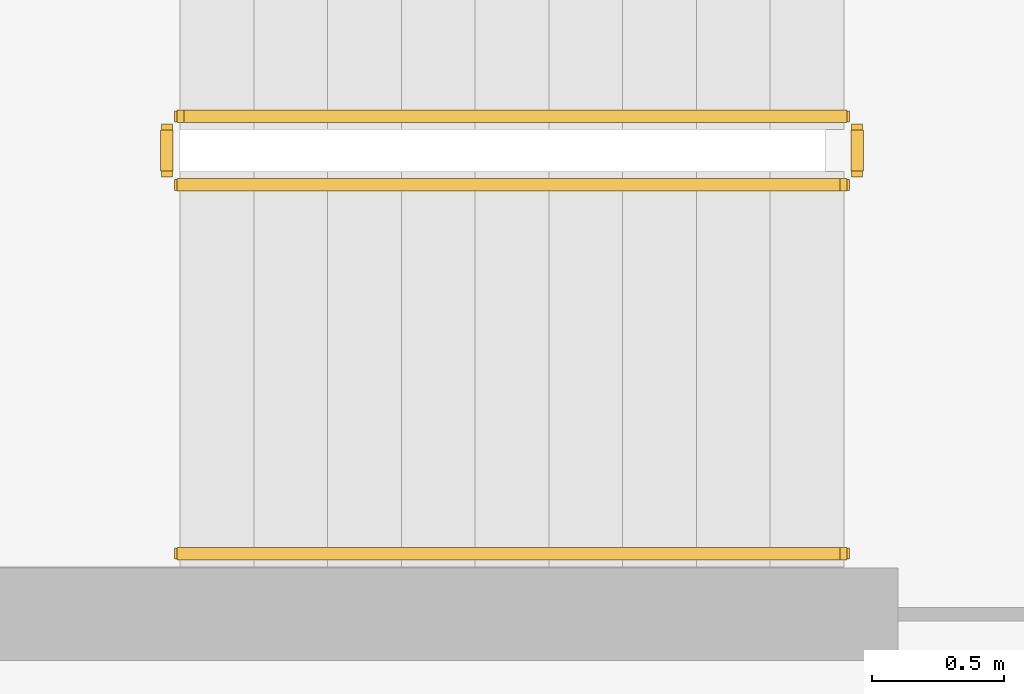
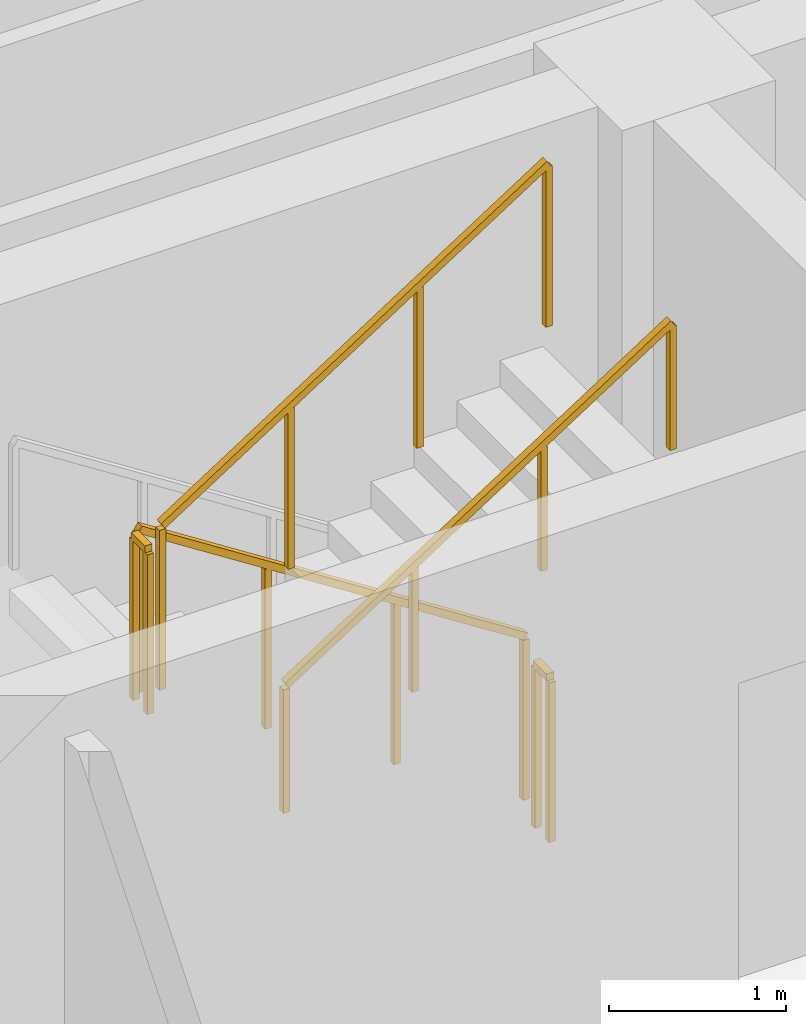
# One storey, part 12 of 14: 5 railings.
"""IFC4 building model written with IfcOpenShell, lengths in metres."""

from ifc_helpers import new_model, si_unit, direction, frame, origin, origin_2d, place, context, subcontext, project, spatial, rectangle, extrude, material, type_object, element, save


model = new_model("IFC4")

# Units and contexts
model_context = context("Model", 3, precision=1e-05, world=origin(), true_north=direction((0.0, 1.0)))
body_context = subcontext(model_context, "Body", "Model", "MODEL_VIEW")
ifc_project = project(units=[si_unit("LENGTHUNIT", "METRE"), si_unit("AREAUNIT", "SQUARE_METRE"), si_unit("VOLUMEUNIT", "CUBIC_METRE"), si_unit("PLANEANGLEUNIT", "RADIAN"), si_unit("MASSUNIT", "GRAM", prefix="KILO")], contexts=[model_context])

# Site, building, storey
site_placement = place(None, origin())
site = spatial("IfcSite", under=ifc_project, at=site_placement, CompositionType="ELEMENT")
building_placement = place(site_placement, origin())
building = spatial("IfcBuilding", under=site, at=building_placement, Name="Zarnavel Station Tower", CompositionType="ELEMENT")
storey_placement = place(building_placement, frame((0.0, 0.0, 225.60009765625)))
storey = spatial("IfcBuildingStorey", under=building, at=storey_placement, Name="L61", CompositionType="ELEMENT", Elevation=225.60009765625)

# Railings
ifc_material_1 = material(Name="Painted Steel S355J2 Balustrade", Category="steel")
railing_type_1 = type_object("IfcRailingType", Name="GR_INT_1150", PredefinedType="GUARDRAIL", material=ifc_material_1)
railing_1_placement = place(storey_placement, frame((19.47998046875, 35.3701171875, 0.179931640625)))
element("IfcRailing", 1, at=railing_1_placement, inside=storey, type_object=railing_type_1, Name="L61 ST1 stair guard 1", PredefinedType="GUARDRAIL", context=body_context, shape_type="SweptSolid", body=[
    extrude(rectangle(XDim=0.048095703125, YDim=0.048095703125, at=origin_2d()), frame((-0.001708984375, 0.0, 1.126953125), z_axis=(-0.841199657755, 0.0, 0.540724639528), x_axis=(0.0, -1.0, 0.0)), (0.0, 0.0, 1.0), 2.99169921875),
    extrude(rectangle(XDim=0.0419921875, YDim=0.0419921875, at=origin_2d()), origin(), (0.0, 0.0, 1.0), 1.101806640625),
    extrude(rectangle(XDim=0.0419921875, YDim=0.0419921875, at=origin_2d()), frame((-0.840087890625, 0.0, 0.5400390625)), (0.0, 0.0, 1.0), 1.101806640625),
    extrude(rectangle(XDim=0.0419921875, YDim=0.0419921875, at=origin_2d()), frame((-1.679931640625, 0.0, 1.079833984375)), (0.0, 0.0, 1.0), 1.101806640625),
    extrude(rectangle(XDim=0.0419921875, YDim=0.0419921875, at=origin_2d()), frame((-2.52001953125, 0.0, 1.619873046875)), (0.0, 0.0, 1.0), 1.101806640625),
])
railing_2_placement = place(storey_placement, frame((16.909912109375, 35.320068359375, 1.7998046875)))
element("IfcRailing", 2, at=railing_2_placement, inside=storey, type_object=railing_type_1, Name="L61 ST1 stair guard 2", PredefinedType="GUARDRAIL", context=body_context, shape_type="SweptSolid", body=[
    extrude(rectangle(XDim=0.048095703125, YDim=0.048095703125, at=origin_2d()), frame((0.0, -0.001953125, 1.1259765625), z_axis=(0.0, -1.0, 0.0), x_axis=(1.0, 0.0, 0.0)), (0.0, 0.0, 1.0), 0.15625),
    extrude(rectangle(XDim=0.0419921875, YDim=0.0419921875, at=origin_2d()), origin(), (0.0, 0.0, 1.0), 1.101806640625),
    extrude(rectangle(XDim=0.0419921875, YDim=0.0419921875, at=origin_2d()), frame((0.0, -0.16015625, 0.0)), (0.0, 0.0, 1.0), 1.101806640625),
])
railing_3_placement = place(storey_placement, frame((16.9599609375, 35.110107421875, 1.97998046875)))
element("IfcRailing", 3, at=railing_3_placement, inside=storey, type_object=railing_type_1, Name="L61 ST1 stair guard 3", PredefinedType="GUARDRAIL", context=body_context, shape_type="SweptSolid", body=[
    extrude(rectangle(XDim=0.048095703125, YDim=0.048095703125, at=origin_2d()), frame((0.001708984375, 0.0, 1.126953125), z_axis=(0.841199657755, 0.0, 0.540724639528), x_axis=(0.0, 1.0, 0.0)), (0.0, 0.0, 1.0), 2.99169921875),
    extrude(rectangle(XDim=0.0419921875, YDim=0.0419921875, at=origin_2d()), origin(), (0.0, 0.0, 1.0), 1.101806640625),
    extrude(rectangle(XDim=0.0419921875, YDim=0.0419921875, at=origin_2d()), frame((0.840087890625, 0.0, 0.5400390625)), (0.0, 0.0, 1.0), 1.101806640625),
    extrude(rectangle(XDim=0.0419921875, YDim=0.0419921875, at=origin_2d()), frame((1.679931640625, 0.0, 1.079833984375)), (0.0, 0.0, 1.0), 1.101806640625),
    extrude(rectangle(XDim=0.0419921875, YDim=0.0419921875, at=origin_2d()), frame((2.52001953125, 0.0, 1.619873046875)), (0.0, 0.0, 1.0), 1.101806640625),
])
railing_4_placement = place(storey_placement, frame((19.530029296875, 35.320068359375, 0.0)))
element("IfcRailing", 4, at=railing_4_placement, inside=storey, type_object=railing_type_1, Name="L61 ST1 stair guard 4", PredefinedType="GUARDRAIL", context=body_context, shape_type="SweptSolid", body=[
    extrude(rectangle(XDim=0.048095703125, YDim=0.048095703125, at=origin_2d()), frame((0.0, -0.001953125, 1.1259765625), z_axis=(0.0, -1.0, 0.0), x_axis=(1.0, 0.0, 0.0)), (0.0, 0.0, 1.0), 0.15625),
    extrude(rectangle(XDim=0.0419921875, YDim=0.0419921875, at=origin_2d()), origin(), (0.0, 0.0, 1.0), 1.101806640625),
    extrude(rectangle(XDim=0.0419921875, YDim=0.0419921875, at=origin_2d()), frame((0.0, -0.16015625, 0.0)), (0.0, 0.0, 1.0), 1.101806640625),
])
ifc_material_2 = material(Name="Brushed Stainless Steel S355J2 Handrail", Category="steel")
railing_type_2 = type_object("IfcRailingType", Name="HR_STAIR_900", PredefinedType="HANDRAIL", material=ifc_material_2)
railing_5_placement = place(storey_placement, frame((16.9599609375, 33.7099609375, 1.97998046875)))
element("IfcRailing", 5, at=railing_5_placement, inside=storey, type_object=railing_type_2, Name="L61 ST1 stair handrail 2", PredefinedType="HANDRAIL", context=body_context, shape_type="SweptSolid", body=[
    extrude(rectangle(XDim=0.048095703125, YDim=0.048095703125, at=origin_2d()), frame((0.001708984375, 0.0, 0.876953125), z_axis=(0.841199657755, 0.0, 0.540724639528), x_axis=(0.0, 1.0, 0.0)), (0.0, 0.0, 1.0), 2.99169921875),
    extrude(rectangle(XDim=0.0419921875, YDim=0.0419921875, at=origin_2d()), origin(), (0.0, 0.0, 1.0), 0.851806640625),
    extrude(rectangle(XDim=0.0419921875, YDim=0.0419921875, at=origin_2d()), frame((0.840087890625, 0.0, 0.5400390625)), (0.0, 0.0, 1.0), 0.851806640625),
    extrude(rectangle(XDim=0.0419921875, YDim=0.0419921875, at=origin_2d()), frame((1.679931640625, 0.0, 1.079833984375)), (0.0, 0.0, 1.0), 0.851806640625),
    extrude(rectangle(XDim=0.0419921875, YDim=0.0419921875, at=origin_2d()), frame((2.52001953125, 0.0, 1.619873046875)), (0.0, 0.0, 1.0), 0.851806640625),
])

save(model, "model.ifc")
